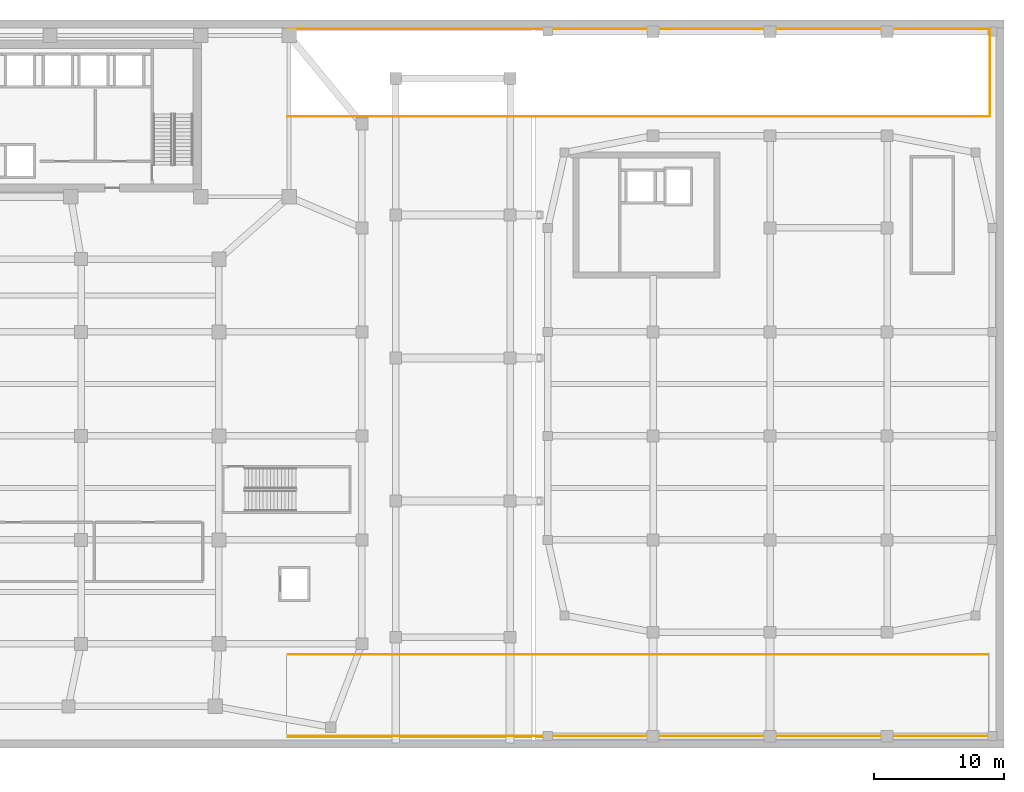
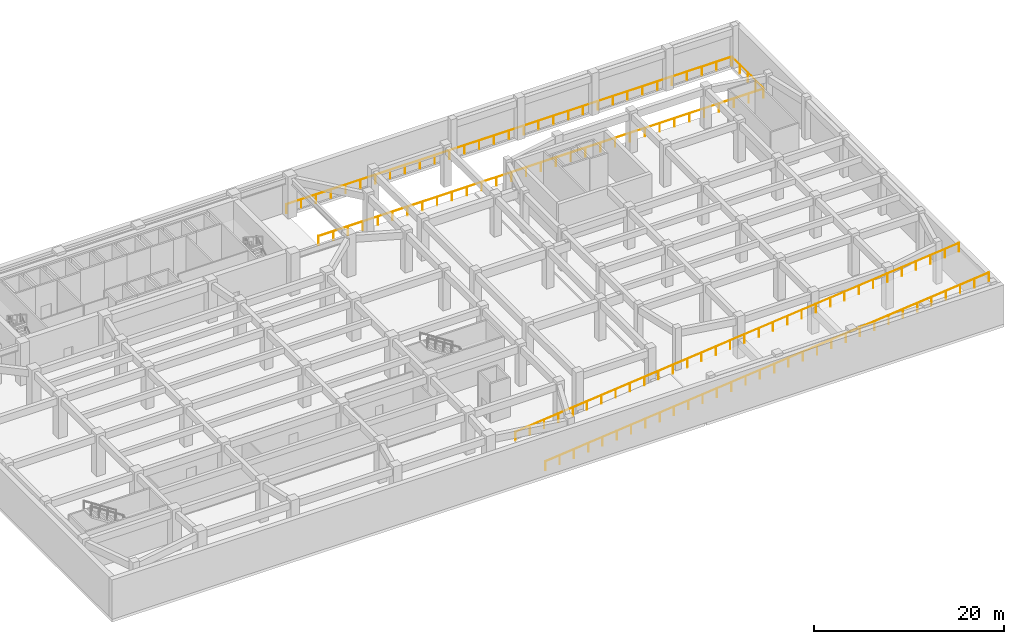
# One storey, part 14 of 14: 5 railings.
"""IFC4 building model written with IfcOpenShell, lengths in metres."""

import ifcopenshell
import ifcopenshell.guid

model = None  # the IFC model being written
_history = None  # IfcOwnerHistory: only IFC2X3 demands one
_inside = {}  # id of a spatial element -> (the spatial element, [elements in it])
_under = {}  # id of a project, library or spatial element -> (it, [spatial elements below it])
_declared = {}  # id of a project -> (the project, [libraries it declares])
_typed = {}  # id of a type object -> (the type object, [elements of that type])
_made_of = {}  # id of a material, layer set ... -> (it, [elements and type objects made of it])


def new_model(schema):
    """Start an empty IFC model of exactly this schema.

    Asked for "IFC4X3", IfcOpenShell would pick the latest addendum, in which some entities
    have other attributes; the version numbers below select the first issue.
    IFC2X3 requires an IfcOwnerHistory on every rooted entity: one is made here for all.
    """
    global model, _history
    if schema == "IFC4X3":
        model = ifcopenshell.file(schema_version=(4, 3, 0, 0))
    else:
        model = ifcopenshell.file(schema=schema)
    _inside.clear()
    _under.clear()
    _declared.clear()
    _typed.clear()
    _made_of.clear()
    _history = None
    if model.schema == "IFC2X3":
        org = make("IfcOrganization", Name="unknown")
        user = make(
            "IfcPersonAndOrganization",
            ThePerson=make("IfcPerson", FamilyName="unknown"),
            TheOrganization=org,
        )
        app = make(
            "IfcApplication",
            ApplicationDeveloper=org,
            Version="unknown",
            ApplicationFullName="unknown",
            ApplicationIdentifier="unknown",
        )
        _history = make(
            "IfcOwnerHistory",
            OwningUser=user,
            OwningApplication=app,
            ChangeAction="ADDED",
            CreationDate=0,
        )
    return model


def make(cls, **values):
    """One entity of the class cls with the attributes given. An attribute that is None is left unset."""
    return model.create_entity(
        cls, **{name: value for name, value in values.items() if value is not None}
    )


def rooted(cls, **values):
    """An entity with a GlobalId (a new one), such as an element, a storey or a relation."""
    return make(cls, GlobalId=ifcopenshell.guid.new(), OwnerHistory=_history, **values)


def si_unit(unit_type, name, prefix=None):
    """IfcSIUnit, for example si_unit("LENGTHUNIT", "METRE", prefix="MILLI")."""
    return make("IfcSIUnit", UnitType=unit_type, Prefix=prefix, Name=name)


def assignment(units):
    """IfcUnitAssignment: the units of a project."""
    return None if units is None else make("IfcUnitAssignment", Units=units)


def point(xyz):
    """IfcCartesianPoint."""
    return None if xyz is None else make("IfcCartesianPoint", Coordinates=xyz)


def direction(xyz):
    """IfcDirection."""
    return None if xyz is None else make("IfcDirection", DirectionRatios=xyz)


def frame(location, z_axis=None, x_axis=None):
    """IfcAxis2Placement3D, a coordinate frame: its origin and axes. An axis left out is left unset."""
    return make(
        "IfcAxis2Placement3D",
        Location=point(location),
        Axis=direction(z_axis),
        RefDirection=direction(x_axis),
    )


def frame_2d(location, x_axis=None):
    """IfcAxis2Placement2D, a coordinate frame in the plane: its origin and x axis."""
    return make(
        "IfcAxis2Placement2D", Location=point(location), RefDirection=direction(x_axis)
    )


def origin():
    """The frame at (0, 0, 0) with its axes left unset."""
    return frame((0.0, 0.0, 0.0))


def origin_2d():
    """The frame at (0, 0) in the plane with its x axis left unset."""
    return frame_2d((0.0, 0.0))


def place(relative_to, where):
    """IfcLocalPlacement: puts the frame where relative to a parent placement (None: the world)."""
    return make(
        "IfcLocalPlacement", PlacementRelTo=relative_to, RelativePlacement=where
    )


def context(
    kind, dimensions, precision=None, world=None, true_north=None, identifier=None
):
    """IfcGeometricRepresentationContext, for example the 3D "Model" context."""
    return make(
        "IfcGeometricRepresentationContext",
        ContextIdentifier=identifier,
        ContextType=kind,
        CoordinateSpaceDimension=dimensions,
        Precision=precision,
        WorldCoordinateSystem=world,
        TrueNorth=true_north,
    )


def subcontext(parent, identifier, kind, view, scale=None):
    """IfcGeometricRepresentationSubContext, for example "Body" below "Model"."""
    return make(
        "IfcGeometricRepresentationSubContext",
        ContextIdentifier=identifier,
        ContextType=kind,
        ParentContext=parent,
        TargetScale=scale,
        TargetView=view,
    )


def project(units=None, contexts=None):
    """IfcProject with its units and contexts."""
    return rooted(
        "IfcProject",
        Name="project",
        RepresentationContexts=contexts,
        UnitsInContext=assignment(units),
    )


def spatial(cls, under=None, at=None, **own):
    """A site, building, storey or space (cls), placed at a placement, below another one or the project."""
    s = rooted(cls, ObjectPlacement=at, **own)
    if under is not None:
        _under.setdefault(under.id(), (under, []))[1].append(s)
    return s


def profile(cls, at=None, kind="AREA", **sizes):
    """A parametric profile (cls). Its sizes go by their IFC names, for example OverallWidth=200.0."""
    return make(cls, ProfileType=kind, Position=at, **sizes)


def circle(**sizes):
    """IfcCircleProfileDef."""
    return profile("IfcCircleProfileDef", **sizes)


def extrude(swept, where, along, depth):
    """IfcExtrudedAreaSolid: the profile swept, set in the frame where, extruded along a direction by depth."""
    return make(
        "IfcExtrudedAreaSolid",
        SweptArea=swept,
        Position=where,
        ExtrudedDirection=direction(along),
        Depth=depth,
    )


def shape(context_of_items, identifier, shape_type, items):
    """IfcShapeRepresentation: the items that make up one representation, for example the "Body"."""
    return make(
        "IfcShapeRepresentation",
        ContextOfItems=context_of_items,
        RepresentationIdentifier=identifier,
        RepresentationType=shape_type,
        Items=items,
    )


def material(Name=None, Category=None):
    """IfcMaterial."""
    return make("IfcMaterial", Name=Name, Category=Category)


def made_of(thing, what):
    """Note that an element or type object is made of a material, layer set ...; save() writes the relation."""
    if what is not None:
        _made_of.setdefault(what.id(), (what, []))[1].append(thing)
    return thing


def type_object(cls, material=None, **own):
    """A type object (cls), such as IfcWallType, which elements share."""
    return made_of(rooted(cls, **own), material)


def element(
    cls,
    number,
    at=None,
    inside=None,
    cuts=None,
    type_object=None,
    material=None,
    context=None,
    identifier="Body",
    shape_type=None,
    held_by="IfcProductDefinitionShape",
    body=None,
    shapes=None,
    **own,
):
    """One element of the class cls, such as IfcWall. Its Tag is "e" and its number.

    at: its placement. inside: the storey or other place that contains it. cuts: it is an
    opening in that element (IfcRelVoidsElement). A single representation is given by context,
    identifier, shape_type and body (its items); several are given by shapes. held_by: the class
    of the entity that holds the representations. save() writes the other relations.
    """
    e = rooted(cls, Tag="e%d" % number, ObjectPlacement=at, **own)
    if body is not None:
        shapes = [shape(context, identifier, shape_type, body)]
    if shapes is not None:
        e.Representation = make(held_by, Representations=shapes)
    if inside is not None:
        _inside.setdefault(inside.id(), (inside, []))[1].append(e)
    if cuts is not None:
        rooted(
            "IfcRelVoidsElement", RelatingBuildingElement=cuts, RelatedOpeningElement=e
        )
    if type_object is not None:
        _typed.setdefault(type_object.id(), (type_object, []))[1].append(e)
    return made_of(e, material)


def aggregate(whole, parts):
    """IfcRelAggregates: a whole, such as a stair, and the parts it consists of."""
    return rooted("IfcRelAggregates", RelatingObject=whole, RelatedObjects=parts)


def save(model, path):
    """Write the relations noted so far, then the file.

    IfcRelAggregates (storeys below a building ...), IfcRelContainedInSpatialStructure (elements
    in a storey), IfcRelDefinesByType, IfcRelAssociatesMaterial and IfcRelDeclares: one each for
    every whole, place, type object, material and project.
    """
    for whole, parts in _under.values():
        aggregate(whole, parts)
    for where, things in _inside.values():
        rooted(
            "IfcRelContainedInSpatialStructure",
            RelatedElements=things,
            RelatingStructure=where,
        )
    for kind, things in _typed.values():
        rooted("IfcRelDefinesByType", RelatedObjects=things, RelatingType=kind)
    for what, things in _made_of.values():
        rooted("IfcRelAssociatesMaterial", RelatedObjects=things, RelatingMaterial=what)
    for by, libraries in _declared.values():
        rooted("IfcRelDeclares", RelatingContext=by, RelatedDefinitions=libraries)
    model.write(path)


model = new_model("IFC4")

# Units and contexts
model_context = context("Model", 3, precision=1e-05, world=origin(), true_north=direction((0.0, 1.0)))
body_context = subcontext(model_context, "Body", "Model", "MODEL_VIEW")
ifc_project = project(units=[si_unit("LENGTHUNIT", "METRE"), si_unit("AREAUNIT", "SQUARE_METRE"), si_unit("VOLUMEUNIT", "CUBIC_METRE"), si_unit("PLANEANGLEUNIT", "RADIAN"), si_unit("MASSUNIT", "GRAM", prefix="KILO")], contexts=[model_context])

# Site, building, storey
site_placement = place(None, origin())
site = spatial("IfcSite", under=ifc_project, at=site_placement, CompositionType="ELEMENT")
building_placement = place(site_placement, origin())
building = spatial("IfcBuilding", under=site, at=building_placement, Name="Saevonmaru Cultural Tower", CompositionType="ELEMENT")
storey_placement = place(building_placement, frame((0.0, 0.0, -5.39990234375)))
storey = spatial("IfcBuildingStorey", under=building, at=storey_placement, Name="B1", CompositionType="ELEMENT", Elevation=-5.39990234375)

# Railings
ifc_material = material(Name="Satin Bronze Anodised Aluminium", Category="aluminium")
railing_type = type_object("IfcRailingType", Name="RL-BALUSTRADE-1150", PredefinedType="BALUSTRADE", material=ifc_material)
railing_1_placement = place(storey_placement, frame((53.10009765625, 7.179931640625, 0.010009765625)))
element("IfcRailing", 1, at=railing_1_placement, inside=storey, type_object=railing_type, Name="B1 Vehicle Ramp VR-1 Sloped Flight Guardrail N", PredefinedType="BALUSTRADE", context=body_context, shape_type="SweptSolid", body=[
    extrude(circle(Radius=0.02392578125, at=origin_2d()), frame((0.0, 0.0, 1.1259765625), z_axis=(0.995037369037, 0.0, 0.099501930733), x_axis=(0.0, 1.0, 0.0)), (0.0, 0.0, 1.0), 54.068115234375),
    extrude(circle(Radius=0.02099609375, at=origin_2d()), origin(), (0.0, 0.0, 1.0), 1.101806640625),
    extrude(circle(Radius=0.02099609375, at=origin_2d()), frame((1.735595703125, 0.0, 0.173583984375)), (0.0, 0.0, 1.0), 1.101806640625),
    extrude(circle(Radius=0.02099609375, at=origin_2d()), frame((3.470947265625, 0.0, 0.34716796875)), (0.0, 0.0, 1.0), 1.101806640625),
    extrude(circle(Radius=0.02099609375, at=origin_2d()), frame((5.20654296875, 0.0, 0.520751953125)), (0.0, 0.0, 1.0), 1.101806640625),
    extrude(circle(Radius=0.02099609375, at=origin_2d()), frame((6.94189453125, 0.0, 0.694091796875)), (0.0, 0.0, 1.0), 1.101806640625),
    extrude(circle(Radius=0.02099609375, at=origin_2d()), frame((8.677490234375, 0.0, 0.86767578125)), (0.0, 0.0, 1.0), 1.101806640625),
    extrude(circle(Radius=0.02099609375, at=origin_2d()), frame((10.412841796875, 0.0, 1.041259765625)), (0.0, 0.0, 1.0), 1.101806640625),
    extrude(circle(Radius=0.02099609375, at=origin_2d()), frame((12.1484375, 0.0, 1.21484375)), (0.0, 0.0, 1.0), 1.101806640625),
    extrude(circle(Radius=0.02099609375, at=origin_2d()), frame((13.8837890625, 0.0, 1.388427734375)), (0.0, 0.0, 1.0), 1.101806640625),
    extrude(circle(Radius=0.02099609375, at=origin_2d()), frame((15.619384765625, 0.0, 1.56201171875)), (0.0, 0.0, 1.0), 1.101806640625),
    extrude(circle(Radius=0.02099609375, at=origin_2d()), frame((17.354736328125, 0.0, 1.7353515625)), (0.0, 0.0, 1.0), 1.101806640625),
    extrude(circle(Radius=0.02099609375, at=origin_2d()), frame((19.09033203125, 0.0, 1.908935546875)), (0.0, 0.0, 1.0), 1.101806640625),
    extrude(circle(Radius=0.02099609375, at=origin_2d()), frame((20.82568359375, 0.0, 2.08251953125)), (0.0, 0.0, 1.0), 1.101806640625),
    extrude(circle(Radius=0.02099609375, at=origin_2d()), frame((22.561279296875, 0.0, 2.256103515625)), (0.0, 0.0, 1.0), 1.101806640625),
    extrude(circle(Radius=0.02099609375, at=origin_2d()), frame((24.296630859375, 0.0, 2.4296875)), (0.0, 0.0, 1.0), 1.101806640625),
    extrude(circle(Radius=0.02099609375, at=origin_2d()), frame((26.0322265625, 0.0, 2.603271484375)), (0.0, 0.0, 1.0), 1.101806640625),
    extrude(circle(Radius=0.02099609375, at=origin_2d()), frame((27.767578125, 0.0, 2.776611328125)), (0.0, 0.0, 1.0), 1.101806640625),
    extrude(circle(Radius=0.02099609375, at=origin_2d()), frame((29.503173828125, 0.0, 2.9501953125)), (0.0, 0.0, 1.0), 1.101806640625),
    extrude(circle(Radius=0.02099609375, at=origin_2d()), frame((31.238525390625, 0.0, 3.123779296875)), (0.0, 0.0, 1.0), 1.101806640625),
    extrude(circle(Radius=0.02099609375, at=origin_2d()), frame((32.97412109375, 0.0, 3.29736328125)), (0.0, 0.0, 1.0), 1.101806640625),
    extrude(circle(Radius=0.02099609375, at=origin_2d()), frame((34.70947265625, 0.0, 3.470947265625)), (0.0, 0.0, 1.0), 1.101806640625),
    extrude(circle(Radius=0.02099609375, at=origin_2d()), frame((36.445068359375, 0.0, 3.64453125)), (0.0, 0.0, 1.0), 1.101806640625),
    extrude(circle(Radius=0.02099609375, at=origin_2d()), frame((38.180419921875, 0.0, 3.81787109375)), (0.0, 0.0, 1.0), 1.101806640625),
    extrude(circle(Radius=0.02099609375, at=origin_2d()), frame((39.916015625, 0.0, 3.991455078125)), (0.0, 0.0, 1.0), 1.101806640625),
    extrude(circle(Radius=0.02099609375, at=origin_2d()), frame((41.6513671875, 0.0, 4.1650390625)), (0.0, 0.0, 1.0), 1.101806640625),
    extrude(circle(Radius=0.02099609375, at=origin_2d()), frame((43.386962890625, 0.0, 4.338623046875)), (0.0, 0.0, 1.0), 1.101806640625),
    extrude(circle(Radius=0.02099609375, at=origin_2d()), frame((45.122314453125, 0.0, 4.51220703125)), (0.0, 0.0, 1.0), 1.101806640625),
    extrude(circle(Radius=0.02099609375, at=origin_2d()), frame((46.85791015625, 0.0, 4.685791015625)), (0.0, 0.0, 1.0), 1.101806640625),
    extrude(circle(Radius=0.02099609375, at=origin_2d()), frame((48.59326171875, 0.0, 4.859130859375)), (0.0, 0.0, 1.0), 1.101806640625),
    extrude(circle(Radius=0.02099609375, at=origin_2d()), frame((50.328857421875, 0.0, 5.03271484375)), (0.0, 0.0, 1.0), 1.101806640625),
    extrude(circle(Radius=0.02099609375, at=origin_2d()), frame((52.064208984375, 0.0, 5.206298828125)), (0.0, 0.0, 1.0), 1.101806640625),
    extrude(circle(Radius=0.02099609375, at=origin_2d()), frame((53.7998046875, 0.0, 5.3798828125)), (0.0, 0.0, 1.0), 1.101806640625),
])
railing_2_placement = place(storey_placement, frame((53.10009765625, 0.919921875, 0.010009765625)))
element("IfcRailing", 2, at=railing_2_placement, inside=storey, type_object=railing_type, Name="B1 Vehicle Ramp VR-1 Sloped Flight Guardrail S", PredefinedType="BALUSTRADE", context=body_context, shape_type="SweptSolid", body=[
    extrude(circle(Radius=0.02392578125, at=origin_2d()), frame((0.0, 0.0, 1.1259765625), z_axis=(0.995037369037, 0.0, 0.099501930733), x_axis=(0.0, 1.0, 0.0)), (0.0, 0.0, 1.0), 54.068115234375),
    extrude(circle(Radius=0.02099609375, at=origin_2d()), origin(), (0.0, 0.0, 1.0), 1.101806640625),
    extrude(circle(Radius=0.02099609375, at=origin_2d()), frame((1.735595703125, 0.0, 0.173583984375)), (0.0, 0.0, 1.0), 1.101806640625),
    extrude(circle(Radius=0.02099609375, at=origin_2d()), frame((3.470947265625, 0.0, 0.34716796875)), (0.0, 0.0, 1.0), 1.101806640625),
    extrude(circle(Radius=0.02099609375, at=origin_2d()), frame((5.20654296875, 0.0, 0.520751953125)), (0.0, 0.0, 1.0), 1.101806640625),
    extrude(circle(Radius=0.02099609375, at=origin_2d()), frame((6.94189453125, 0.0, 0.694091796875)), (0.0, 0.0, 1.0), 1.101806640625),
    extrude(circle(Radius=0.02099609375, at=origin_2d()), frame((8.677490234375, 0.0, 0.86767578125)), (0.0, 0.0, 1.0), 1.101806640625),
    extrude(circle(Radius=0.02099609375, at=origin_2d()), frame((10.412841796875, 0.0, 1.041259765625)), (0.0, 0.0, 1.0), 1.101806640625),
    extrude(circle(Radius=0.02099609375, at=origin_2d()), frame((12.1484375, 0.0, 1.21484375)), (0.0, 0.0, 1.0), 1.101806640625),
    extrude(circle(Radius=0.02099609375, at=origin_2d()), frame((13.8837890625, 0.0, 1.388427734375)), (0.0, 0.0, 1.0), 1.101806640625),
    extrude(circle(Radius=0.02099609375, at=origin_2d()), frame((15.619384765625, 0.0, 1.56201171875)), (0.0, 0.0, 1.0), 1.101806640625),
    extrude(circle(Radius=0.02099609375, at=origin_2d()), frame((17.354736328125, 0.0, 1.7353515625)), (0.0, 0.0, 1.0), 1.101806640625),
    extrude(circle(Radius=0.02099609375, at=origin_2d()), frame((19.09033203125, 0.0, 1.908935546875)), (0.0, 0.0, 1.0), 1.101806640625),
    extrude(circle(Radius=0.02099609375, at=origin_2d()), frame((20.82568359375, 0.0, 2.08251953125)), (0.0, 0.0, 1.0), 1.101806640625),
    extrude(circle(Radius=0.02099609375, at=origin_2d()), frame((22.561279296875, 0.0, 2.256103515625)), (0.0, 0.0, 1.0), 1.101806640625),
    extrude(circle(Radius=0.02099609375, at=origin_2d()), frame((24.296630859375, 0.0, 2.4296875)), (0.0, 0.0, 1.0), 1.101806640625),
    extrude(circle(Radius=0.02099609375, at=origin_2d()), frame((26.0322265625, 0.0, 2.603271484375)), (0.0, 0.0, 1.0), 1.101806640625),
    extrude(circle(Radius=0.02099609375, at=origin_2d()), frame((27.767578125, 0.0, 2.776611328125)), (0.0, 0.0, 1.0), 1.101806640625),
    extrude(circle(Radius=0.02099609375, at=origin_2d()), frame((29.503173828125, 0.0, 2.9501953125)), (0.0, 0.0, 1.0), 1.101806640625),
    extrude(circle(Radius=0.02099609375, at=origin_2d()), frame((31.238525390625, 0.0, 3.123779296875)), (0.0, 0.0, 1.0), 1.101806640625),
    extrude(circle(Radius=0.02099609375, at=origin_2d()), frame((32.97412109375, 0.0, 3.29736328125)), (0.0, 0.0, 1.0), 1.101806640625),
    extrude(circle(Radius=0.02099609375, at=origin_2d()), frame((34.70947265625, 0.0, 3.470947265625)), (0.0, 0.0, 1.0), 1.101806640625),
    extrude(circle(Radius=0.02099609375, at=origin_2d()), frame((36.445068359375, 0.0, 3.64453125)), (0.0, 0.0, 1.0), 1.101806640625),
    extrude(circle(Radius=0.02099609375, at=origin_2d()), frame((38.180419921875, 0.0, 3.81787109375)), (0.0, 0.0, 1.0), 1.101806640625),
    extrude(circle(Radius=0.02099609375, at=origin_2d()), frame((39.916015625, 0.0, 3.991455078125)), (0.0, 0.0, 1.0), 1.101806640625),
    extrude(circle(Radius=0.02099609375, at=origin_2d()), frame((41.6513671875, 0.0, 4.1650390625)), (0.0, 0.0, 1.0), 1.101806640625),
    extrude(circle(Radius=0.02099609375, at=origin_2d()), frame((43.386962890625, 0.0, 4.338623046875)), (0.0, 0.0, 1.0), 1.101806640625),
    extrude(circle(Radius=0.02099609375, at=origin_2d()), frame((45.122314453125, 0.0, 4.51220703125)), (0.0, 0.0, 1.0), 1.101806640625),
    extrude(circle(Radius=0.02099609375, at=origin_2d()), frame((46.85791015625, 0.0, 4.685791015625)), (0.0, 0.0, 1.0), 1.101806640625),
    extrude(circle(Radius=0.02099609375, at=origin_2d()), frame((48.59326171875, 0.0, 4.859130859375)), (0.0, 0.0, 1.0), 1.101806640625),
    extrude(circle(Radius=0.02099609375, at=origin_2d()), frame((50.328857421875, 0.0, 5.03271484375)), (0.0, 0.0, 1.0), 1.101806640625),
    extrude(circle(Radius=0.02099609375, at=origin_2d()), frame((52.064208984375, 0.0, 5.206298828125)), (0.0, 0.0, 1.0), 1.101806640625),
    extrude(circle(Radius=0.02099609375, at=origin_2d()), frame((53.7998046875, 0.0, 5.3798828125)), (0.0, 0.0, 1.0), 1.101806640625),
])
railing_3_placement = place(storey_placement, frame((53.090087890625, 48.580078125, 0.0)))
element("IfcRailing", 3, at=railing_3_placement, inside=storey, type_object=railing_type, Name="B1 Vehicle Ramp VR-2 Well Guardrail Seg 1", PredefinedType="BALUSTRADE", context=body_context, shape_type="SweptSolid", body=[
    extrude(circle(Radius=0.02392578125, at=origin_2d()), frame((0.0, 0.0, 1.1259765625), z_axis=(1.0, 0.0, 0.0), x_axis=(0.0, 1.0, 0.0)), (0.0, 0.0, 1.0), 53.989990234375),
    extrude(circle(Radius=0.02099609375, at=origin_2d()), origin(), (0.0, 0.0, 1.0), 1.101806640625),
    extrude(circle(Radius=0.02099609375, at=origin_2d()), frame((1.799560546875, 0.0, 0.0)), (0.0, 0.0, 1.0), 1.101806640625),
    extrude(circle(Radius=0.02099609375, at=origin_2d()), frame((3.599365234375, 0.0, 0.0)), (0.0, 0.0, 1.0), 1.101806640625),
    extrude(circle(Radius=0.02099609375, at=origin_2d()), frame((5.39892578125, 0.0, 0.0)), (0.0, 0.0, 1.0), 1.101806640625),
    extrude(circle(Radius=0.02099609375, at=origin_2d()), frame((7.19873046875, 0.0, 0.0)), (0.0, 0.0, 1.0), 1.101806640625),
    extrude(circle(Radius=0.02099609375, at=origin_2d()), frame((8.998291015625, 0.0, 0.0)), (0.0, 0.0, 1.0), 1.101806640625),
    extrude(circle(Radius=0.02099609375, at=origin_2d()), frame((10.798095703125, 0.0, 0.0)), (0.0, 0.0, 1.0), 1.101806640625),
    extrude(circle(Radius=0.02099609375, at=origin_2d()), frame((12.59765625, 0.0, 0.0)), (0.0, 0.0, 1.0), 1.101806640625),
    extrude(circle(Radius=0.02099609375, at=origin_2d()), frame((14.397216796875, 0.0, 0.0)), (0.0, 0.0, 1.0), 1.101806640625),
    extrude(circle(Radius=0.02099609375, at=origin_2d()), frame((16.197021484375, 0.0, 0.0)), (0.0, 0.0, 1.0), 1.101806640625),
    extrude(circle(Radius=0.02099609375, at=origin_2d()), frame((17.99658203125, 0.0, 0.0)), (0.0, 0.0, 1.0), 1.101806640625),
    extrude(circle(Radius=0.02099609375, at=origin_2d()), frame((19.79638671875, 0.0, 0.0)), (0.0, 0.0, 1.0), 1.101806640625),
    extrude(circle(Radius=0.02099609375, at=origin_2d()), frame((21.595947265625, 0.0, 0.0)), (0.0, 0.0, 1.0), 1.101806640625),
    extrude(circle(Radius=0.02099609375, at=origin_2d()), frame((23.395751953125, 0.0, 0.0)), (0.0, 0.0, 1.0), 1.101806640625),
    extrude(circle(Radius=0.02099609375, at=origin_2d()), frame((25.1953125, 0.0, 0.0)), (0.0, 0.0, 1.0), 1.101806640625),
    extrude(circle(Radius=0.02099609375, at=origin_2d()), frame((26.9951171875, 0.0, 0.0)), (0.0, 0.0, 1.0), 1.101806640625),
    extrude(circle(Radius=0.02099609375, at=origin_2d()), frame((28.794677734375, 0.0, 0.0)), (0.0, 0.0, 1.0), 1.101806640625),
    extrude(circle(Radius=0.02099609375, at=origin_2d()), frame((30.59423828125, 0.0, 0.0)), (0.0, 0.0, 1.0), 1.101806640625),
    extrude(circle(Radius=0.02099609375, at=origin_2d()), frame((32.39404296875, 0.0, 0.0)), (0.0, 0.0, 1.0), 1.101806640625),
    extrude(circle(Radius=0.02099609375, at=origin_2d()), frame((34.193603515625, 0.0, 0.0)), (0.0, 0.0, 1.0), 1.101806640625),
    extrude(circle(Radius=0.02099609375, at=origin_2d()), frame((35.993408203125, 0.0, 0.0)), (0.0, 0.0, 1.0), 1.101806640625),
    extrude(circle(Radius=0.02099609375, at=origin_2d()), frame((37.79296875, 0.0, 0.0)), (0.0, 0.0, 1.0), 1.101806640625),
    extrude(circle(Radius=0.02099609375, at=origin_2d()), frame((39.5927734375, 0.0, 0.0)), (0.0, 0.0, 1.0), 1.101806640625),
    extrude(circle(Radius=0.02099609375, at=origin_2d()), frame((41.392333984375, 0.0, 0.0)), (0.0, 0.0, 1.0), 1.101806640625),
    extrude(circle(Radius=0.02099609375, at=origin_2d()), frame((43.19189453125, 0.0, 0.0)), (0.0, 0.0, 1.0), 1.101806640625),
    extrude(circle(Radius=0.02099609375, at=origin_2d()), frame((44.99169921875, 0.0, 0.0)), (0.0, 0.0, 1.0), 1.101806640625),
    extrude(circle(Radius=0.02099609375, at=origin_2d()), frame((46.791259765625, 0.0, 0.0)), (0.0, 0.0, 1.0), 1.101806640625),
    extrude(circle(Radius=0.02099609375, at=origin_2d()), frame((48.591064453125, 0.0, 0.0)), (0.0, 0.0, 1.0), 1.101806640625),
    extrude(circle(Radius=0.02099609375, at=origin_2d()), frame((50.390625, 0.0, 0.0)), (0.0, 0.0, 1.0), 1.101806640625),
    extrude(circle(Radius=0.02099609375, at=origin_2d()), frame((52.1904296875, 0.0, 0.0)), (0.0, 0.0, 1.0), 1.101806640625),
    extrude(circle(Radius=0.02099609375, at=origin_2d()), frame((53.989990234375, 0.0, 0.0)), (0.0, 0.0, 1.0), 1.101806640625),
])
railing_4_placement = place(storey_placement, frame((107.1201171875, 48.6201171875, 0.0)))
element("IfcRailing", 4, at=railing_4_placement, inside=storey, type_object=railing_type, Name="B1 Vehicle Ramp VR-2 Well Guardrail Seg 2", PredefinedType="BALUSTRADE", context=body_context, shape_type="SweptSolid", body=[
    extrude(circle(Radius=0.02392578125, at=origin_2d()), frame((0.0, 0.0, 1.1259765625), z_axis=(0.0, 1.0, 0.0), x_axis=(-1.0, 0.0, 0.0)), (0.0, 0.0, 1.0), 6.659912109375),
    extrude(circle(Radius=0.02099609375, at=origin_2d()), origin(), (0.0, 0.0, 1.0), 1.101806640625),
    extrude(circle(Radius=0.02099609375, at=origin_2d()), frame((0.0, 1.6650390625, 0.0)), (0.0, 0.0, 1.0), 1.101806640625),
    extrude(circle(Radius=0.02099609375, at=origin_2d()), frame((0.0, 3.330078125, 0.0)), (0.0, 0.0, 1.0), 1.101806640625),
    extrude(circle(Radius=0.02099609375, at=origin_2d()), frame((0.0, 4.994873046875, 0.0)), (0.0, 0.0, 1.0), 1.101806640625),
    extrude(circle(Radius=0.02099609375, at=origin_2d()), frame((0.0, 6.659912109375, 0.0)), (0.0, 0.0, 1.0), 1.101806640625),
])
railing_5_placement = place(storey_placement, frame((107.080078125, 55.320068359375, 0.0)))
element("IfcRailing", 5, at=railing_5_placement, inside=storey, type_object=railing_type, Name="B1 Vehicle Ramp VR-2 Well Guardrail Seg 3", PredefinedType="BALUSTRADE", context=body_context, shape_type="SweptSolid", body=[
    extrude(circle(Radius=0.02392578125, at=origin_2d()), frame((0.0, 0.0, 1.1259765625), z_axis=(-1.0, 0.0, 0.0), x_axis=(0.0, -1.0, 0.0)), (0.0, 0.0, 1.0), 53.989990234375),
    extrude(circle(Radius=0.02099609375, at=origin_2d()), origin(), (0.0, 0.0, 1.0), 1.101806640625),
    extrude(circle(Radius=0.02099609375, at=origin_2d()), frame((-1.799560546875, 0.0, 0.0)), (0.0, 0.0, 1.0), 1.101806640625),
    extrude(circle(Radius=0.02099609375, at=origin_2d()), frame((-3.599365234375, 0.0, 0.0)), (0.0, 0.0, 1.0), 1.101806640625),
    extrude(circle(Radius=0.02099609375, at=origin_2d()), frame((-5.39892578125, 0.0, 0.0)), (0.0, 0.0, 1.0), 1.101806640625),
    extrude(circle(Radius=0.02099609375, at=origin_2d()), frame((-7.19873046875, 0.0, 0.0)), (0.0, 0.0, 1.0), 1.101806640625),
    extrude(circle(Radius=0.02099609375, at=origin_2d()), frame((-8.998291015625, 0.0, 0.0)), (0.0, 0.0, 1.0), 1.101806640625),
    extrude(circle(Radius=0.02099609375, at=origin_2d()), frame((-10.798095703125, 0.0, 0.0)), (0.0, 0.0, 1.0), 1.101806640625),
    extrude(circle(Radius=0.02099609375, at=origin_2d()), frame((-12.59765625, 0.0, 0.0)), (0.0, 0.0, 1.0), 1.101806640625),
    extrude(circle(Radius=0.02099609375, at=origin_2d()), frame((-14.397216796875, 0.0, 0.0)), (0.0, 0.0, 1.0), 1.101806640625),
    extrude(circle(Radius=0.02099609375, at=origin_2d()), frame((-16.197021484375, 0.0, 0.0)), (0.0, 0.0, 1.0), 1.101806640625),
    extrude(circle(Radius=0.02099609375, at=origin_2d()), frame((-17.99658203125, 0.0, 0.0)), (0.0, 0.0, 1.0), 1.101806640625),
    extrude(circle(Radius=0.02099609375, at=origin_2d()), frame((-19.79638671875, 0.0, 0.0)), (0.0, 0.0, 1.0), 1.101806640625),
    extrude(circle(Radius=0.02099609375, at=origin_2d()), frame((-21.595947265625, 0.0, 0.0)), (0.0, 0.0, 1.0), 1.101806640625),
    extrude(circle(Radius=0.02099609375, at=origin_2d()), frame((-23.395751953125, 0.0, 0.0)), (0.0, 0.0, 1.0), 1.101806640625),
    extrude(circle(Radius=0.02099609375, at=origin_2d()), frame((-25.1953125, 0.0, 0.0)), (0.0, 0.0, 1.0), 1.101806640625),
    extrude(circle(Radius=0.02099609375, at=origin_2d()), frame((-26.9951171875, 0.0, 0.0)), (0.0, 0.0, 1.0), 1.101806640625),
    extrude(circle(Radius=0.02099609375, at=origin_2d()), frame((-28.794677734375, 0.0, 0.0)), (0.0, 0.0, 1.0), 1.101806640625),
    extrude(circle(Radius=0.02099609375, at=origin_2d()), frame((-30.59423828125, 0.0, 0.0)), (0.0, 0.0, 1.0), 1.101806640625),
    extrude(circle(Radius=0.02099609375, at=origin_2d()), frame((-32.39404296875, 0.0, 0.0)), (0.0, 0.0, 1.0), 1.101806640625),
    extrude(circle(Radius=0.02099609375, at=origin_2d()), frame((-34.193603515625, 0.0, 0.0)), (0.0, 0.0, 1.0), 1.101806640625),
    extrude(circle(Radius=0.02099609375, at=origin_2d()), frame((-35.993408203125, 0.0, 0.0)), (0.0, 0.0, 1.0), 1.101806640625),
    extrude(circle(Radius=0.02099609375, at=origin_2d()), frame((-37.79296875, 0.0, 0.0)), (0.0, 0.0, 1.0), 1.101806640625),
    extrude(circle(Radius=0.02099609375, at=origin_2d()), frame((-39.5927734375, 0.0, 0.0)), (0.0, 0.0, 1.0), 1.101806640625),
    extrude(circle(Radius=0.02099609375, at=origin_2d()), frame((-41.392333984375, 0.0, 0.0)), (0.0, 0.0, 1.0), 1.101806640625),
    extrude(circle(Radius=0.02099609375, at=origin_2d()), frame((-43.19189453125, 0.0, 0.0)), (0.0, 0.0, 1.0), 1.101806640625),
    extrude(circle(Radius=0.02099609375, at=origin_2d()), frame((-44.99169921875, 0.0, 0.0)), (0.0, 0.0, 1.0), 1.101806640625),
    extrude(circle(Radius=0.02099609375, at=origin_2d()), frame((-46.791259765625, 0.0, 0.0)), (0.0, 0.0, 1.0), 1.101806640625),
    extrude(circle(Radius=0.02099609375, at=origin_2d()), frame((-48.591064453125, 0.0, 0.0)), (0.0, 0.0, 1.0), 1.101806640625),
    extrude(circle(Radius=0.02099609375, at=origin_2d()), frame((-50.390625, 0.0, 0.0)), (0.0, 0.0, 1.0), 1.101806640625),
    extrude(circle(Radius=0.02099609375, at=origin_2d()), frame((-52.1904296875, 0.0, 0.0)), (0.0, 0.0, 1.0), 1.101806640625),
    extrude(circle(Radius=0.02099609375, at=origin_2d()), frame((-53.989990234375, 0.0, 0.0)), (0.0, 0.0, 1.0), 1.101806640625),
])

save(model, "model.ifc")
